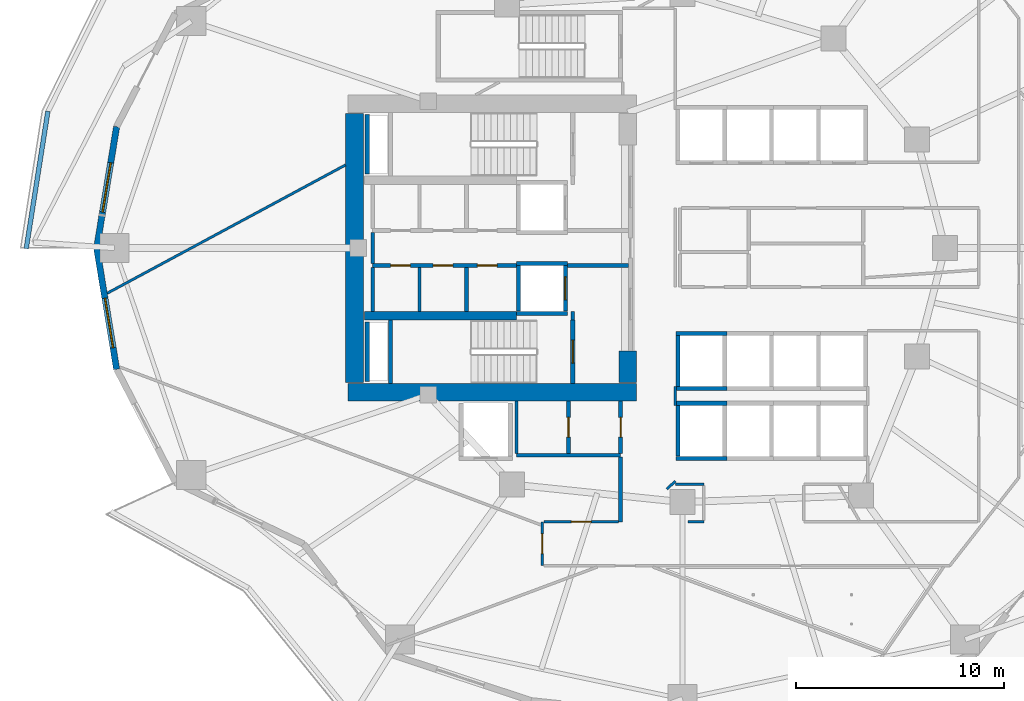
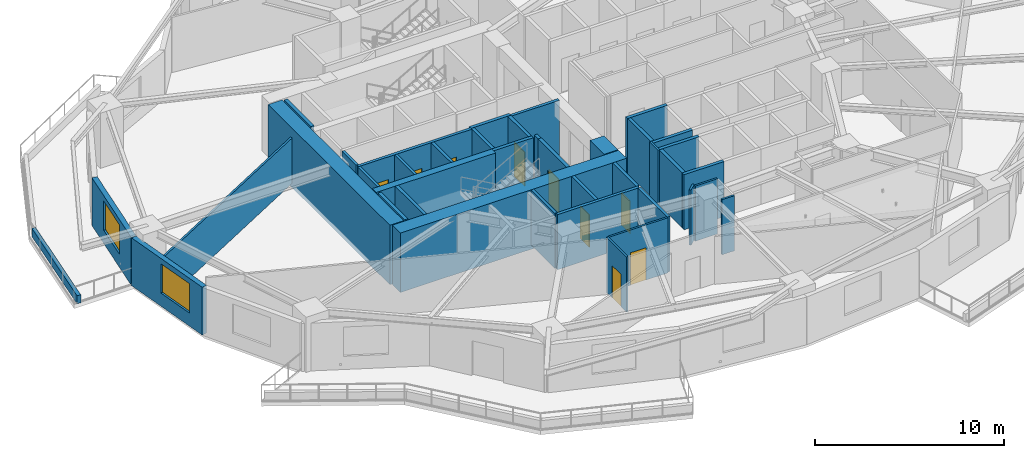
# One storey, part 3 of 16: 40 walls, 9 doors, 2 windows, 11 openings.
"""IFC4 building model written with IfcOpenShell, lengths in metres."""

from ifc_helpers import new_model, si_unit, direction, frame, frame_2d, origin, place, context, subcontext, project, spatial, rectangle, extrude, material, layer, layer_set, type_object, element, fill, save


model = new_model("IFC4")

# Units and contexts
model_context = context("Model", 3, precision=1e-05, world=origin(), true_north=direction((0.0, 1.0)))
body_context = subcontext(model_context, "Body", "Model", "MODEL_VIEW")
ifc_project = project(units=[si_unit("LENGTHUNIT", "METRE"), si_unit("AREAUNIT", "SQUARE_METRE"), si_unit("VOLUMEUNIT", "CUBIC_METRE"), si_unit("PLANEANGLEUNIT", "RADIAN"), si_unit("MASSUNIT", "GRAM", prefix="KILO")], contexts=[model_context])

# Site, building, storey
site_placement = place(None, origin())
site = spatial("IfcSite", under=ifc_project, at=site_placement, CompositionType="ELEMENT")
building_placement = place(site_placement, origin())
building = spatial("IfcBuilding", under=site, at=building_placement, Name="Kolvaren Gate Tower and Convention Centre", CompositionType="ELEMENT")
storey_placement = place(building_placement, frame((0.0, 0.0, 34.199951171875)))
storey = spatial("IfcBuildingStorey", under=building, at=storey_placement, Name="L07", CompositionType="ELEMENT", Elevation=34.199951171875)

# Wall
ifc_material_1 = material(Name="Autoclaved Aerated Masonry Blockwork Class 4 (4.0 MPa)", Category="masonry")
ifc_layer_1 = layer(ifc_material_1, 0.179931640625)
ifc_layer_set_1 = layer_set([ifc_layer_1], Name="Autoclaved Aerated Masonry Blockwork Class 4 (4.0 MPa)")
wall_type_1 = type_object("IfcWallType", Name="ARCH-WL-COMP-180", PredefinedType="SOLIDWALL", material=ifc_layer_set_1)
wall_1_placement = place(storey_placement, frame((24.85009765625, 23.5400390625, 0.0), z_axis=(0.0, 0.0, 1.0), x_axis=(0.0, 1.0, 0.0)))
element("IfcWall", 1, at=wall_1_placement, inside=storey, type_object=wall_type_1, Name="Interior Partition WL-L07-INT-001", PredefinedType="SOLIDWALL", context=body_context, shape_type="SweptSolid", body=[
    extrude(rectangle(XDim=0.419921875, YDim=0.179931640625, at=frame_2d((0.2099609375, 0.0))), origin(), (0.0, 0.0, 1.0), 3.570068359375),
])

# Wall, openings, doors
wall_2_placement = place(storey_placement, frame((15.25, 26.159912109375, 0.0), z_axis=(0.0, 0.0, 1.0), x_axis=(1.0, 0.0, 0.0)))
wall_2 = element("IfcWall", 2, at=wall_2_placement, inside=storey, type_object=wall_type_1, Name="Interior Partition WL-L07-INT-005", PredefinedType="SOLIDWALL", context=body_context, shape_type="SweptSolid", body=[
    extrude(rectangle(XDim=6.89990234375, YDim=0.179931640625, at=frame_2d((3.449951171875, 0.0))), origin(), (0.0, 0.0, 1.0), 3.570068359375),
])
opening_1_placement = place(wall_2_placement, frame((5.02001953125, 0.0, 0.0)))
opening_1 = element("IfcOpeningElement", 3, at=opening_1_placement, cuts=wall_2, Name="Opening DR-01", PredefinedType="OPENING", context=body_context, shape_type="SweptSolid", body=[
    extrude(rectangle(XDim=0.949951171875, YDim=2.10009765625, at=frame_2d((0.47509765625, 1.050048828125))), frame((0.0, 0.099853515625, 0.0), z_axis=(0.0, -1.0, 0.0), x_axis=(1.0, 0.0, 0.0)), (0.0, 0.0, 1.0), 0.199951171875),
])
opening_2_placement = place(wall_2_placement, frame((0.85498046875, 0.0, 0.0)))
opening_2 = element("IfcOpeningElement", 4, at=opening_2_placement, cuts=wall_2, Name="Opening DR-01", PredefinedType="OPENING", context=body_context, shape_type="SweptSolid", body=[
    extrude(rectangle(XDim=0.949951171875, YDim=2.10009765625, at=frame_2d((0.47509765625, 1.050048828125))), frame((0.0, 0.099853515625, 0.0), z_axis=(0.0, -1.0, 0.0), x_axis=(1.0, 0.0, 0.0)), (0.0, 0.0, 1.0), 0.199951171875),
])
opening_3_placement = place(wall_2_placement, frame((2.89990234375, 0.0, 0.0)))
opening_3 = element("IfcOpeningElement", 5, at=opening_3_placement, cuts=wall_2, Name="Opening DR-01", PredefinedType="OPENING", context=body_context, shape_type="SweptSolid", body=[
    extrude(rectangle(XDim=0.949951171875, YDim=2.10009765625, at=frame_2d((0.47509765625, 1.050048828125))), frame((0.0, 0.099853515625, 0.0), z_axis=(0.0, -1.0, 0.0), x_axis=(1.0, 0.0, 0.0)), (0.0, 0.0, 1.0), 0.199951171875),
])
ifc_material_2 = material(Name="Painted Architectural Steelwork ASTM A500 Grade C 345 MPa", Category="steel")
door_type_1 = type_object("IfcDoorType", Name="ARCH-DR-RISER-950", OperationType="SINGLE_SWING_RIGHT", PredefinedType="DOOR", material=ifc_material_2)
door_1_placement = place(opening_1_placement, origin())
door_1 = element("IfcDoor", 6, at=door_1_placement, inside=storey, type_object=door_type_1, Name="Domestic Water Meter Closet Door", OperationType="SINGLE_SWING_RIGHT", OverallHeight=2.10009765625, OverallWidth=0.949951171875, PredefinedType="DOOR", context=body_context, shape_type="SweptSolid", body=[
    extrude(rectangle(XDim=0.949951171875, YDim=2.10009765625, at=frame_2d((0.47509765625, 1.050048828125))), frame((0.0, 0.02490234375, 0.0), z_axis=(0.0, -1.0, 0.0), x_axis=(1.0, 0.0, 0.0)), (0.0, 0.0, 1.0), 0.050048828125),
])
fill(opening_1, door_1)
door_2_placement = place(opening_2_placement, origin())
door_2 = element("IfcDoor", 7, at=door_2_placement, inside=storey, type_object=door_type_1, Name="Beverage Service Pantry Door", OperationType="SINGLE_SWING_LEFT", OverallHeight=2.10009765625, OverallWidth=0.949951171875, PredefinedType="DOOR", context=body_context, shape_type="SweptSolid", body=[
    extrude(rectangle(XDim=0.949951171875, YDim=2.10009765625, at=frame_2d((0.47509765625, 1.050048828125))), frame((0.0, 0.02490234375, 0.0), z_axis=(0.0, -1.0, 0.0), x_axis=(1.0, 0.0, 0.0)), (0.0, 0.0, 1.0), 0.050048828125),
])
fill(opening_2, door_2)
door_3_placement = place(opening_3_placement, origin())
door_3 = element("IfcDoor", 8, at=door_3_placement, inside=storey, type_object=door_type_1, Name="Archive Supply Closet Door", OperationType="SINGLE_SWING_RIGHT", OverallHeight=2.10009765625, OverallWidth=0.949951171875, PredefinedType="DOOR", context=body_context, shape_type="SweptSolid", body=[
    extrude(rectangle(XDim=0.949951171875, YDim=2.10009765625, at=frame_2d((0.47509765625, 1.050048828125))), frame((0.0, 0.02490234375, 0.0), z_axis=(0.0, -1.0, 0.0), x_axis=(1.0, 0.0, 0.0)), (0.0, 0.0, 1.0), 0.050048828125),
])
fill(opening_3, door_3)

# Walls
wall_3_placement = place(storey_placement, frame((24.60009765625, 26.159912109375, 0.0), z_axis=(0.0, 0.0, 1.0), x_axis=(1.0, 0.0, 0.0)))
element("IfcWall", 9, at=wall_3_placement, inside=storey, type_object=wall_type_1, Name="Interior Partition WL-L07-INT-005 (2)", PredefinedType="SOLIDWALL", context=body_context, shape_type="SweptSolid", body=[
    extrude(rectangle(XDim=2.927978515625, YDim=0.179931640625, at=frame_2d((1.4638671875, 0.0))), origin(), (0.0, 0.0, 1.0), 3.570068359375),
])
wall_4_placement = place(storey_placement, frame((19.75, 23.9619140625, 0.0), z_axis=(0.0, 0.0, 1.0), x_axis=(0.0, 1.0, 0.0)))
element("IfcWall", 10, at=wall_4_placement, inside=storey, type_object=wall_type_1, Name="Interior Partition WL-L07-INT-007", PredefinedType="SOLIDWALL", context=body_context, shape_type="SweptSolid", body=[
    extrude(rectangle(XDim=2.106201171875, YDim=0.179931640625, at=frame_2d((1.05322265625, 0.0))), origin(), (0.0, 0.0, 1.0), 3.570068359375),
])
wall_5_placement = place(storey_placement, frame((22.14990234375, 17.050048828125, 0.0), z_axis=(0.0, 0.0, 1.0), x_axis=(1.0, 0.0, 0.0)))
element("IfcWall", 11, at=wall_5_placement, inside=storey, type_object=wall_type_1, Name="Interior Partition WL-L07-INT-011", PredefinedType="SOLIDWALL", context=body_context, shape_type="SweptSolid", body=[
    extrude(rectangle(XDim=5.0, YDim=0.179931640625, at=frame_2d((2.5, 0.0))), origin(), (0.0, 0.0, 1.0), 3.570068359375),
])

# Wall, opening, door
wall_6_placement = place(storey_placement, frame((24.64990234375, 17.14208984375, 0.0), z_axis=(0.0, 0.0, 1.0), x_axis=(0.0, 1.0, 0.0)))
wall_6 = element("IfcWall", 12, at=wall_6_placement, inside=storey, type_object=wall_type_1, Name="Interior Partition WL-L07-INT-013", PredefinedType="SOLIDWALL", context=body_context, shape_type="SweptSolid", body=[
    extrude(rectangle(XDim=2.505859375, YDim=0.179931640625, at=frame_2d((1.2529296875, 0.0))), origin(), (0.0, 0.0, 1.0), 3.570068359375),
])
opening_4_placement = place(wall_6_placement, frame((0.778076171875, 0.0, 0.0)))
opening_4 = element("IfcOpeningElement", 13, at=opening_4_placement, cuts=wall_6, Name="Opening DR-01", PredefinedType="OPENING", context=body_context, shape_type="SweptSolid", body=[
    extrude(rectangle(XDim=0.949951171875, YDim=2.10009765625, at=frame_2d((0.47509765625, 1.050048828125))), frame((0.0, 0.099853515625, 0.0), z_axis=(0.0, -1.0, 0.0), x_axis=(1.0, 0.0, 0.0)), (0.0, 0.0, 1.0), 0.199951171875),
])
door_4_placement = place(opening_4_placement, origin())
door_4 = element("IfcDoor", 14, at=door_4_placement, inside=storey, type_object=door_type_1, Name="West Valet Store Door", OperationType="SINGLE_SWING_RIGHT", OverallHeight=2.10009765625, OverallWidth=0.949951171875, PredefinedType="DOOR", context=body_context, shape_type="SweptSolid", body=[
    extrude(rectangle(XDim=0.949951171875, YDim=2.10009765625, at=frame_2d((0.47509765625, 1.050048828125))), frame((0.0, 0.02490234375, 0.0), z_axis=(0.0, -1.0, 0.0), x_axis=(1.0, 0.0, 0.0)), (0.0, 0.0, 1.0), 0.050048828125),
])
fill(opening_4, door_4)

# Wall
wall_7_placement = place(storey_placement, frame((27.14990234375, 13.85009765625, 0.0), z_axis=(0.0, 0.0, 1.0), x_axis=(0.0, 1.0, 0.0)))
element("IfcWall", 15, at=wall_7_placement, inside=storey, type_object=wall_type_1, Name="Interior Partition WL-L07-INT-014", PredefinedType="SOLIDWALL", context=body_context, shape_type="SweptSolid", body=[
    extrude(rectangle(XDim=3.10791015625, YDim=0.179931640625, at=frame_2d((1.553955078125, 0.0))), origin(), (0.0, 0.0, 1.0), 3.570068359375),
])

# Wall, opening, door
wall_8_placement = place(storey_placement, frame((27.14990234375, 17.14208984375, 0.0), z_axis=(0.0, 0.0, 1.0), x_axis=(0.0, 1.0, 0.0)))
wall_8 = element("IfcWall", 16, at=wall_8_placement, inside=storey, type_object=wall_type_1, Name="Interior Partition WL-L07-INT-014 (2)", PredefinedType="SOLIDWALL", context=body_context, shape_type="SweptSolid", body=[
    extrude(rectangle(XDim=2.505859375, YDim=0.179931640625, at=frame_2d((1.2529296875, 0.0))), origin(), (0.0, 0.0, 1.0), 3.570068359375),
])
opening_5_placement = place(wall_8_placement, frame((0.778076171875, 0.0, 0.0)))
opening_5 = element("IfcOpeningElement", 17, at=opening_5_placement, cuts=wall_8, Name="Opening DR-01", PredefinedType="OPENING", context=body_context, shape_type="SweptSolid", body=[
    extrude(rectangle(XDim=0.949951171875, YDim=2.10009765625, at=frame_2d((0.47509765625, 1.050048828125))), frame((0.0, 0.099853515625, 0.0), z_axis=(0.0, -1.0, 0.0), x_axis=(1.0, 0.0, 0.0)), (0.0, 0.0, 1.0), 0.199951171875),
])
door_5_placement = place(opening_5_placement, origin())
door_5 = element("IfcDoor", 18, at=door_5_placement, inside=storey, type_object=door_type_1, Name="Metering Switch Room Door", OperationType="SINGLE_SWING_LEFT", OverallHeight=2.10009765625, OverallWidth=0.949951171875, PredefinedType="DOOR", context=body_context, shape_type="SweptSolid", body=[
    extrude(rectangle(XDim=0.949951171875, YDim=2.10009765625, at=frame_2d((0.47509765625, 1.050048828125))), frame((0.0, 0.02490234375, 0.0), z_axis=(0.0, -1.0, 0.0), x_axis=(1.0, 0.0, 0.0)), (0.0, 0.0, 1.0), 0.050048828125),
])
fill(opening_5, door_5)

# Wall
ifc_material_3 = material(Name="Fire-Rated Acoustic Gypsum Stud Partition", Category="gypsum")
ifc_layer_2 = layer(ifc_material_3, 0.1201171875)
ifc_layer_set_2 = layer_set([ifc_layer_2], Name="Fire-Rated Acoustic Gypsum Stud Partition")
wall_type_2 = type_object("IfcWallType", Name="ARCH-WL-PART-120", PredefinedType="PARTITIONING", material=ifc_layer_set_2)
wall_9_placement = place(storey_placement, frame((29.780029296875, 19.43994140625, 0.0), z_axis=(0.0, 0.0, 1.0), x_axis=(0.0, 1.0, 0.0)))
element("IfcWall", 19, at=wall_9_placement, inside=storey, type_object=wall_type_2, Name="Interior Partition WL-L07-INT-022", PredefinedType="PARTITIONING", context=body_context, shape_type="SweptSolid", body=[
    extrude(rectangle(XDim=0.920166015625, YDim=0.1201171875, at=frame_2d((0.4599609375, 0.0))), origin(), (0.0, 0.0, 1.0), 3.570068359375),
])

# Wall, opening, door
wall_10_placement = place(storey_placement, frame((23.39990234375, 11.75, 0.0), z_axis=(0.0, 0.0, 1.0), x_axis=(0.0, 1.0, 0.0)))
wall_10 = element("IfcWall", 20, at=wall_10_placement, inside=storey, type_object=wall_type_2, Name="Interior Partition WL-L07-INT-031", PredefinedType="PARTITIONING", context=body_context, shape_type="SweptSolid", body=[
    extrude(rectangle(XDim=2.10009765625, YDim=0.1201171875, at=frame_2d((1.050048828125, 0.0))), origin(), (0.0, 0.0, 1.0), 3.570068359375),
])
opening_6_placement = place(wall_10_placement, frame((0.574951171875, 0.0, 0.0)))
opening_6 = element("IfcOpeningElement", 21, at=opening_6_placement, cuts=wall_10, Name="Opening DR-01", PredefinedType="OPENING", context=body_context, shape_type="SweptSolid", body=[
    extrude(rectangle(XDim=0.949951171875, YDim=2.10009765625, at=frame_2d((0.47509765625, 1.050048828125))), frame((0.0, 0.070068359375, 0.0), z_axis=(0.0, -1.0, 0.0), x_axis=(1.0, 0.0, 0.0)), (0.0, 0.0, 1.0), 0.14013671875),
])
door_6_placement = place(opening_6_placement, origin())
door_6 = element("IfcDoor", 22, at=door_6_placement, inside=storey, type_object=door_type_1, Name="Conference and Training Seminar Room Door", OperationType="SINGLE_SWING_LEFT", OverallHeight=2.10009765625, OverallWidth=0.949951171875, PredefinedType="DOOR", context=body_context, shape_type="SweptSolid", body=[
    extrude(rectangle(XDim=0.949951171875, YDim=2.10009765625, at=frame_2d((0.47509765625, 1.050048828125))), frame((0.0, 0.02490234375, 0.0), z_axis=(0.0, -1.0, 0.0), x_axis=(1.0, 0.0, 0.0)), (0.0, 0.0, 1.0), 0.050048828125),
])
fill(opening_6, door_6)

wall_11_placement = place(storey_placement, frame((23.4619140625, 13.85009765625, 0.0), z_axis=(0.0, 0.0, 1.0), x_axis=(1.0, 0.0, 0.0)))
wall_11 = element("IfcWall", 23, at=wall_11_placement, inside=storey, type_object=wall_type_2, Name="Interior Partition WL-L07-INT-038", PredefinedType="PARTITIONING", context=body_context, shape_type="SweptSolid", body=[
    extrude(rectangle(XDim=3.59619140625, YDim=0.1201171875, at=frame_2d((1.798095703125, 0.0))), origin(), (0.0, 0.0, 1.0), 3.570068359375),
])
opening_7_placement = place(wall_11_placement, frame((1.322998046875, 0.0, 0.0)))
opening_7 = element("IfcOpeningElement", 24, at=opening_7_placement, cuts=wall_11, Name="Opening DR-01", PredefinedType="OPENING", context=body_context, shape_type="SweptSolid", body=[
    extrude(rectangle(XDim=0.949951171875, YDim=2.10009765625, at=frame_2d((0.47509765625, 1.050048828125))), frame((0.0, 0.070068359375, 0.0), z_axis=(0.0, -1.0, 0.0), x_axis=(1.0, 0.0, 0.0)), (0.0, 0.0, 1.0), 0.14013671875),
])
door_7_placement = place(opening_7_placement, origin())
door_7 = element("IfcDoor", 25, at=door_7_placement, inside=storey, type_object=door_type_1, Name="Conference and Training Seminar Room Door", OperationType="SINGLE_SWING_RIGHT", OverallHeight=2.10009765625, OverallWidth=0.949951171875, PredefinedType="DOOR", context=body_context, shape_type="SweptSolid", body=[
    extrude(rectangle(XDim=0.949951171875, YDim=2.10009765625, at=frame_2d((0.47509765625, 1.050048828125))), frame((0.0, 0.02490234375, 0.0), z_axis=(0.0, -1.0, 0.0), x_axis=(1.0, 0.0, 0.0)), (0.0, 0.0, 1.0), 0.050048828125),
])
fill(opening_7, door_7)

# Walls
wall_12_placement = place(storey_placement, frame((30.39111328125, 13.85009765625, 0.0), z_axis=(0.0, 0.0, 1.0), x_axis=(1.0, 0.0, 0.0)))
element("IfcWall", 26, at=wall_12_placement, inside=storey, type_object=wall_type_2, Name="Interior Partition WL-L07-INT-039", PredefinedType="PARTITIONING", context=body_context, shape_type="SweptSolid", body=[
    extrude(rectangle(XDim=0.7587890625, YDim=0.1201171875, at=frame_2d((0.37939453125, 0.0))), origin(), (0.0, 0.0, 1.0), 3.570068359375),
])
wall_13_placement = place(storey_placement, frame((29.780029296875, 15.64990234375, 0.0), z_axis=(0.0, 0.0, 1.0), x_axis=(1.0, 0.0, 0.0)))
element("IfcWall", 27, at=wall_13_placement, inside=storey, type_object=wall_type_2, Name="Interior Partition WL-L07-INT-043", PredefinedType="PARTITIONING", context=body_context, shape_type="SweptSolid", body=[
    extrude(rectangle(XDim=1.369873046875, YDim=0.1201171875, at=frame_2d((0.68505859375, 0.0))), origin(), (0.0, 0.0, 1.0), 3.570068359375),
])
wall_14_placement = place(storey_placement, frame((29.366943359375, 15.422119140625, 0.0), z_axis=(0.0, 0.0, 1.0), x_axis=(0.730667420492, 0.682733564893, 0.0)))
element("IfcWall", 28, at=wall_14_placement, inside=storey, type_object=wall_type_2, Name="Interior Partition WL-L07-INT-048", PredefinedType="PARTITIONING", context=body_context, shape_type="SweptSolid", body=[
    extrude(rectangle(XDim=0.5654296875, YDim=0.1201171875, at=frame_2d((0.28271484375, 0.0))), origin(), (0.0, 0.0, 1.0), 3.570068359375),
])
wall_15_placement = place(storey_placement, frame((2.51123046875, 24.8291015625, 0.0), z_axis=(0.0, 0.0, 1.0), x_axis=(0.880496447335, 0.474052746253, 0.0)))
element("IfcWall", 29, at=wall_15_placement, inside=storey, type_object=wall_type_2, Name="Interior Partition WL-L07-INT-050", PredefinedType="PARTITIONING", context=body_context, shape_type="SweptSolid", body=[
    extrude(rectangle(XDim=12.989013671875, YDim=0.1201171875, at=frame_2d((6.49462890625, 0.0))), origin(), (0.0, 0.0, 1.0), 2.93408203125),
])
ifc_material_4 = material(Name="Piedmont Cream Honed Limestone Cladding", Category="masonry")
ifc_layer_3 = layer(ifc_material_4, 0.219970703125)
ifc_layer_set_3 = layer_set([ifc_layer_3], Name="Piedmont Cream Honed Limestone Cladding")
wall_type_3 = type_object("IfcWallType", Name="ARCH-WL-PLANTER-220", PredefinedType="PARAPET", material=ifc_layer_set_3)
wall_16_placement = place(storey_placement, frame((-1.381591796875, 26.970703125, 0.0), z_axis=(0.0, 0.0, 1.0), x_axis=(0.155842315528, 0.987781945923, 0.0)))
element("IfcWall", 30, at=wall_16_placement, inside=storey, type_object=wall_type_3, Name="Vertical-Forest Balcony Stone Planter Kerb PK-L07-2.3", PredefinedType="PARAPET", context=body_context, shape_type="SweptSolid", body=[
    extrude(rectangle(XDim=6.672119140625, YDim=0.219970703125, at=frame_2d((3.3359375, 0.0))), origin(), (0.0, 0.0, 1.0), 0.52001953125),
])
ifc_layer_4 = layer(ifc_material_1, 0.199951171875)
ifc_layer_set_4 = layer_set([ifc_layer_4], Name="Autoclaved Aerated Masonry Blockwork Class 4 (4.0 MPa)")
wall_type_4 = type_object("IfcWallType", Name="ARCH-WL-SHAFT-200", PredefinedType="SOLIDWALL", material=ifc_layer_set_4)
for number, where, z_axis, x_axis, name in (
    (31, (22.14990234375, 26.260009765625, 0.0), (0.0, 0.0, 1.0), (1.0, 0.0, 0.0), "Elevator FF-02 L07 Fire Shaft Wall N"),
    (32, (22.14990234375, 23.860107421875, 0.0), (0.0, 0.0, 1.0), (1.0, 0.0, 0.0), "Elevator FF-02 L07 Fire Shaft Wall S"),
):
    element("IfcWall", number, at=place(storey_placement, frame(where, z_axis=z_axis, x_axis=x_axis)), inside=storey, type_object=wall_type_4, Name=name, PredefinedType="SOLIDWALL", context=body_context, shape_type="SweptSolid", body=[
        extrude(rectangle(XDim=2.4501953125, YDim=0.199951171875, at=frame_2d((1.22509765625, 0.0))), origin(), (0.0, 0.0, 1.0), 3.570068359375),
    ])
wall_17_placement = place(storey_placement, frame((22.25, 23.969970703125, 0.0), z_axis=(0.0, 0.0, 1.0), x_axis=(0.0, 1.0, 0.0)))
element("IfcWall", 33, at=wall_17_placement, inside=storey, type_object=wall_type_4, Name="Elevator FF-02 L07 Fire Shaft Wall W", PredefinedType="SOLIDWALL", context=body_context, shape_type="SweptSolid", body=[
    extrude(rectangle(XDim=2.179931640625, YDim=0.199951171875, at=frame_2d((1.08984375, 0.0))), origin(), (0.0, 0.0, 1.0), 3.570068359375),
])

# Wall, opening, door
wall_18_placement = place(storey_placement, frame((24.5, 23.969970703125, 0.0), z_axis=(0.0, 0.0, 1.0), x_axis=(0.0, 1.0, 0.0)))
wall_18 = element("IfcWall", 34, at=wall_18_placement, inside=storey, type_object=wall_type_4, Name="Elevator FF-02 L07 Fire Shaft Wall E", PredefinedType="SOLIDWALL", context=body_context, shape_type="SweptSolid", body=[
    extrude(rectangle(XDim=2.179931640625, YDim=0.199951171875, at=frame_2d((1.08984375, 0.0))), origin(), (0.0, 0.0, 1.0), 3.570068359375),
])
opening_8_placement = place(wall_18_placement, frame((0.5400390625, 0.0, 0.0)))
opening_8 = element("IfcOpeningElement", 35, at=opening_8_placement, cuts=wall_18, Name="Opening LD", PredefinedType="OPENING", context=body_context, shape_type="SweptSolid", body=[
    extrude(rectangle(XDim=1.10009765625, YDim=2.199951171875, at=frame_2d((0.550048828125, 1.10009765625))), frame((0.0, 0.10986328125, 0.0), z_axis=(0.0, -1.0, 0.0), x_axis=(1.0, 0.0, 0.0)), (0.0, 0.0, 1.0), 0.219970703125),
])
ifc_material_5 = material(Name="Brushed Stainless Steel Grade 316L", Category="steel")
door_type_2 = type_object("IfcDoorType", Name="ARCH-DR-LIFT-1100", OperationType="SLIDING_TO_LEFT", PredefinedType="DOOR", material=ifc_material_5)
door_8_placement = place(opening_8_placement, origin())
door_8 = element("IfcDoor", 36, at=door_8_placement, inside=storey, type_object=door_type_2, Name="Elevator FF-02 L07 Sliding Landing Door", OperationType="SLIDING_TO_LEFT", OverallHeight=2.199951171875, OverallWidth=1.10009765625, PredefinedType="DOOR", context=body_context, shape_type="SweptSolid", body=[
    extrude(rectangle(XDim=1.10009765625, YDim=2.199951171875, at=frame_2d((0.550048828125, 1.10009765625))), frame((0.0, 0.02490234375, 0.0), z_axis=(0.0, -1.0, 0.0), x_axis=(1.0, 0.0, 0.0)), (0.0, 0.0, 1.0), 0.050048828125),
])
fill(opening_8, door_8)

# Walls
for number, where, z_axis, x_axis, name in (
    (37, (29.800048828125, 19.550048828125, 0.0), (0.0, 0.0, 1.0), (1.0, 0.0, 0.0), "Elevator PL-05 L07 Fire Shaft Wall N"),
    (38, (29.800048828125, 16.89990234375, 0.0), (0.0, 0.0, 1.0), (1.0, 0.0, 0.0), "Elevator PL-05 L07 Fire Shaft Wall S"),
):
    element("IfcWall", number, at=place(storey_placement, frame(where, z_axis=z_axis, x_axis=x_axis)), inside=storey, type_object=wall_type_4, Name=name, PredefinedType="SOLIDWALL", context=body_context, shape_type="SweptSolid", body=[
        extrude(rectangle(XDim=2.449951171875, YDim=0.199951171875, at=frame_2d((1.22509765625, 0.0))), origin(), (0.0, 0.0, 1.0), 3.570068359375),
    ])
wall_19_placement = place(storey_placement, frame((29.89990234375, 17.010009765625, 0.0), z_axis=(0.0, 0.0, 1.0), x_axis=(0.0, 1.0, 0.0)))
element("IfcWall", 39, at=wall_19_placement, inside=storey, type_object=wall_type_4, Name="Elevator PL-05 L07 Fire Shaft Wall W", PredefinedType="SOLIDWALL", context=body_context, shape_type="SweptSolid", body=[
    extrude(rectangle(XDim=2.429931640625, YDim=0.199951171875, at=frame_2d((1.21484375, 0.0))), origin(), (0.0, 0.0, 1.0), 3.570068359375),
])
for number, where, z_axis, x_axis, name in (
    (40, (29.800048828125, 22.89990234375, 0.0), (0.0, 0.0, 1.0), (1.0, 0.0, 0.0), "Elevator PL-09 L07 Fire Shaft Wall N"),
    (41, (29.800048828125, 20.25, 0.0), (0.0, 0.0, 1.0), (1.0, 0.0, 0.0), "Elevator PL-09 L07 Fire Shaft Wall S"),
):
    element("IfcWall", number, at=place(storey_placement, frame(where, z_axis=z_axis, x_axis=x_axis)), inside=storey, type_object=wall_type_4, Name=name, PredefinedType="SOLIDWALL", context=body_context, shape_type="SweptSolid", body=[
        extrude(rectangle(XDim=2.449951171875, YDim=0.199951171875, at=frame_2d((1.22509765625, 0.0))), origin(), (0.0, 0.0, 1.0), 3.570068359375),
    ])
wall_20_placement = place(storey_placement, frame((29.89990234375, 20.360107421875, 0.0), z_axis=(0.0, 0.0, 1.0), x_axis=(0.0, 1.0, 0.0)))
element("IfcWall", 42, at=wall_20_placement, inside=storey, type_object=wall_type_4, Name="Elevator PL-09 L07 Fire Shaft Wall W", PredefinedType="SOLIDWALL", context=body_context, shape_type="SweptSolid", body=[
    extrude(rectangle(XDim=2.429931640625, YDim=0.199951171875, at=frame_2d((1.21484375, 0.0))), origin(), (0.0, 0.0, 1.0), 3.570068359375),
])
for number, where, z_axis, x_axis, name in (
    (43, (14.989990234375, 30.550048828125, 0.0), (0.0, 0.0, 1.0), (0.0, 1.0, 0.0), "Vertical Shaft HVR L07 EI-120 Enclosure Wall W"),
    (44, (14.989990234375, 20.60009765625, 0.0), (0.0, 0.0, 1.0), (0.0, 1.0, 0.0), "Vertical Shaft MPR L07 EI-120 Enclosure Wall W"),
):
    element("IfcWall", number, at=place(storey_placement, frame(where, z_axis=z_axis, x_axis=x_axis)), inside=storey, type_object=wall_type_4, Name=name, PredefinedType="SOLIDWALL", context=body_context, shape_type="SweptSolid", body=[
        extrude(rectangle(XDim=2.849853515625, YDim=0.199951171875, at=frame_2d((1.4248046875, 0.0))), origin(), (0.0, 0.0, 1.0), 3.570068359375),
    ])

# Wall, opening, window
ifc_layer_5 = layer(ifc_material_4, 0.300048828125)
ifc_layer_set_5 = layer_set([ifc_layer_5], Name="Piedmont Cream Honed Limestone Cladding")
wall_type_5 = type_object("IfcWallType", Name="ARCH-WL-STONE-300", PredefinedType="SOLIDWALL", material=ifc_layer_set_5)
wall_21_placement = place(storey_placement, frame((2.0, 27.0, 0.0), z_axis=(0.0, 0.0, 1.0), x_axis=(0.162366057843, 0.98673059305, 0.0)))
wall_21 = element("IfcWall", 45, at=wall_21_placement, inside=storey, type_object=wall_type_5, Name="Tower L07 Honed Stone Spandrel Wall EW-11", PredefinedType="SOLIDWALL", context=body_context, shape_type="SweptSolid", body=[
    extrude(rectangle(XDim=5.90185546875, YDim=0.300048828125, at=frame_2d((2.950927734375, 0.0))), origin(), (0.0, 0.0, 1.0), 3.093017578125),
])
opening_9_placement = place(wall_21_placement, frame((1.7509765625, 0.0, 0.85009765625)))
opening_9 = element("IfcOpeningElement", 46, at=opening_9_placement, cuts=wall_21, Name="Opening W-01", PredefinedType="OPENING", context=body_context, shape_type="SweptSolid", body=[
    extrude(rectangle(XDim=2.39990234375, YDim=1.89990234375, at=frame_2d((1.199951171875, 0.949951171875))), frame((0.0, 0.159912109375, 0.0), z_axis=(0.0, -1.0, 0.0), x_axis=(1.0, 0.0, 0.0)), (0.0, 0.0, 1.0), 0.320068359375),
])
ifc_material_6 = material(Name="Low-E Triple Insulated Glazing Unit 44 mm", Category="glass")
window_type = type_object("IfcWindowType", Name="ARCH-WN-OFF-2400", PartitioningType="SINGLE_PANEL", PredefinedType="WINDOW", material=ifc_material_6)
window_1_placement = place(opening_9_placement, origin())
window_1 = element("IfcWindow", 47, at=window_1_placement, inside=storey, type_object=window_type, Name="Tower L07 Punched Stone Facade Window W-11", OverallHeight=1.89990234375, OverallWidth=2.39990234375, PartitioningType="SINGLE_PANEL", PredefinedType="WINDOW", context=body_context, shape_type="SweptSolid", body=[
    extrude(rectangle(XDim=2.39990234375, YDim=1.89990234375, at=frame_2d((1.199951171875, 0.949951171875))), frame((0.0, 0.030029296875, 0.0), z_axis=(0.0, -1.0, 0.0), x_axis=(1.0, 0.0, 0.0)), (0.0, 0.0, 1.0), 0.06005859375),
])
fill(opening_9, window_1)

wall_22_placement = place(storey_placement, frame((2.0, 27.0, 0.0), z_axis=(0.0, 0.0, 1.0), x_axis=(0.162366057843, -0.98673059305, 0.0)))
wall_22 = element("IfcWall", 48, at=wall_22_placement, inside=storey, type_object=wall_type_5, Name="Tower L07 Honed Stone Spandrel Wall EW-12", PredefinedType="SOLIDWALL", context=body_context, shape_type="SweptSolid", body=[
    extrude(rectangle(XDim=5.90185546875, YDim=0.300048828125, at=frame_2d((2.950927734375, 0.0))), origin(), (0.0, 0.0, 1.0), 3.093017578125),
])
opening_10_placement = place(wall_22_placement, frame((2.449951171875, 0.0, 0.85009765625)))
opening_10 = element("IfcOpeningElement", 49, at=opening_10_placement, cuts=wall_22, Name="Opening W-01", PredefinedType="OPENING", context=body_context, shape_type="SweptSolid", body=[
    extrude(rectangle(XDim=2.39990234375, YDim=1.89990234375, at=frame_2d((1.199951171875, 0.949951171875))), frame((0.0, 0.159912109375, 0.0), z_axis=(0.0, -1.0, 0.0), x_axis=(1.0, 0.0, 0.0)), (0.0, 0.0, 1.0), 0.320068359375),
])
window_2_placement = place(opening_10_placement, origin())
window_2 = element("IfcWindow", 50, at=window_2_placement, inside=storey, type_object=window_type, Name="Tower L07 Punched Stone Facade Window W-12", OverallHeight=1.89990234375, OverallWidth=2.39990234375, PartitioningType="SINGLE_PANEL", PredefinedType="WINDOW", context=body_context, shape_type="SweptSolid", body=[
    extrude(rectangle(XDim=2.39990234375, YDim=1.89990234375, at=frame_2d((1.199951171875, 0.949951171875))), frame((0.0, 0.030029296875, 0.0), z_axis=(0.0, -1.0, 0.0), x_axis=(1.0, 0.0, 0.0)), (0.0, 0.0, 1.0), 0.06005859375),
])
fill(opening_10, window_2)

# Walls
ifc_material_7 = material(Name="Moisture-Resistant Cement-Board Acoustic Partition", Category="gypsum")
ifc_layer_6 = layer(ifc_material_7, 0.14990234375)
ifc_layer_set_6 = layer_set([ifc_layer_6], Name="Moisture-Resistant Cement-Board Acoustic Partition")
wall_type_6 = type_object("IfcWallType", Name="ARCH-WL-WET-150", PredefinedType="PARTITIONING", material=ifc_layer_set_6)
wall_23_placement = place(storey_placement, frame((15.25, 23.9619140625, 0.0), z_axis=(0.0, 0.0, 1.0), x_axis=(0.0, 1.0, 0.0)))
element("IfcWall", 51, at=wall_23_placement, inside=storey, type_object=wall_type_6, Name="Interior Partition WL-L07-INT-006", PredefinedType="PARTITIONING", context=body_context, shape_type="SweptSolid", body=[
    extrude(rectangle(XDim=2.106201171875, YDim=0.14990234375, at=frame_2d((1.05322265625, 0.0))), origin(), (0.0, 0.0, 1.0), 3.570068359375),
])
wall_24_placement = place(storey_placement, frame((15.25, 26.251953125, 0.0), z_axis=(0.0, 0.0, 1.0), x_axis=(0.0, 1.0, 0.0)))
element("IfcWall", 52, at=wall_24_placement, inside=storey, type_object=wall_type_6, Name="Interior Partition WL-L07-INT-006 (2)", PredefinedType="PARTITIONING", context=body_context, shape_type="SweptSolid", body=[
    extrude(rectangle(XDim=1.49609375, YDim=0.14990234375, at=frame_2d((0.748046875, 0.0))), origin(), (0.0, 0.0, 1.0), 3.570068359375),
])
wall_25_placement = place(storey_placement, frame((17.5, 23.9619140625, 0.0), z_axis=(0.0, 0.0, 1.0), x_axis=(0.0, 1.0, 0.0)))
element("IfcWall", 53, at=wall_25_placement, inside=storey, type_object=wall_type_6, Name="Interior Partition WL-L07-INT-009", PredefinedType="PARTITIONING", context=body_context, shape_type="SweptSolid", body=[
    extrude(rectangle(XDim=2.106201171875, YDim=0.14990234375, at=frame_2d((1.05322265625, 0.0))), origin(), (0.0, 0.0, 1.0), 3.570068359375),
])
wall_26_placement = place(storey_placement, frame((22.14990234375, 17.14208984375, 0.0), z_axis=(0.0, 0.0, 1.0), x_axis=(0.0, 1.0, 0.0)))
element("IfcWall", 54, at=wall_26_placement, inside=storey, type_object=wall_type_6, Name="Interior Partition WL-L07-INT-012", PredefinedType="PARTITIONING", context=body_context, shape_type="SweptSolid", body=[
    extrude(rectangle(XDim=2.505859375, YDim=0.14990234375, at=frame_2d((1.2529296875, 0.0))), origin(), (0.0, 0.0, 1.0), 3.570068359375),
])
ifc_material_8 = material(Name="Concrete C50/60", Category="concrete")
ifc_layer_7 = layer(ifc_material_8, 0.419921875)
ifc_layer_set_7 = layer_set([ifc_layer_7], Name="Concrete C50/60")
wall_type_7 = type_object("IfcWallType", Name="STR-WL-CONV-420", PredefinedType="SHEAR", material=ifc_layer_set_7)
wall_27_placement = place(storey_placement, frame((14.85009765625, 23.75, -0.280029296875), z_axis=(0.0, 0.0, 1.0), x_axis=(1.0, 0.0, 0.0)))
element("IfcWall", 55, at=wall_27_placement, inside=storey, type_object=wall_type_7, Name="Tower L07 Offset Core Shear Wall WS", PredefinedType="SHEAR", context=body_context, shape_type="SweptSolid", body=[
    extrude(rectangle(XDim=7.2998046875, YDim=0.419921875, at=frame_2d((3.64990234375, 0.0))), origin(), (0.0, 0.0, 1.0), 3.85009765625),
])
ifc_material_9 = material(Name="Concrete C70/85", Category="concrete")
ifc_layer_8 = layer(ifc_material_9, 0.85009765625)
ifc_layer_set_8 = layer_set([ifc_layer_8], Name="Concrete C70/85")
wall_type_8 = type_object("IfcWallType", Name="STR-WL-CORE-850", PredefinedType="SHEAR", material=ifc_layer_set_8)
wall_28_placement = place(storey_placement, frame((14.074951171875, 20.074951171875, -0.280029296875), z_axis=(0.0, 0.0, 1.0), x_axis=(1.0, 0.0, 0.0)))
element("IfcWall", 56, at=wall_28_placement, inside=storey, type_object=wall_type_8, Name="Tower L07 Offset Core Shear Wall S", PredefinedType="SHEAR", context=body_context, shape_type="SweptSolid", body=[
    extrude(rectangle(XDim=13.85009765625, YDim=0.85009765625, at=frame_2d((6.925048828125, 0.0))), origin(), (0.0, 0.0, 1.0), 3.85009765625),
])
wall_29_placement = place(storey_placement, frame((14.375, 20.550048828125, -0.280029296875), z_axis=(0.0, 0.0, 1.0), x_axis=(0.0, 1.0, 0.0)))
element("IfcWall", 57, at=wall_29_placement, inside=storey, type_object=wall_type_8, Name="Tower L07 Offset Core Shear Wall W", PredefinedType="SHEAR", context=body_context, shape_type="SweptSolid", body=[
    extrude(rectangle(XDim=12.89990234375, YDim=0.85009765625, at=frame_2d((6.449951171875, 0.0))), origin(), (0.0, 0.0, 1.0), 3.85009765625),
])
wall_30_placement = place(storey_placement, frame((27.5, 20.550048828125, -0.280029296875), z_axis=(0.0, 0.0, 1.0), x_axis=(0.0, 1.0, 0.0)))
element("IfcWall", 58, at=wall_30_placement, inside=storey, type_object=wall_type_8, Name="Tower L07 Offset Core Shear Wall ES", PredefinedType="SHEAR", context=body_context, shape_type="SweptSolid", body=[
    extrude(rectangle(XDim=1.5, YDim=0.85009765625, at=frame_2d((0.75, 0.0))), origin(), (0.0, 0.0, 1.0), 3.85009765625),
])

# Wall, opening, door
ifc_layer_9 = layer(ifc_material_8, 0.199951171875)
ifc_layer_set_9 = layer_set([ifc_layer_9], Name="Concrete C50/60")
wall_type_9 = type_object("IfcWallType", Name="STR-WL-SHAFT-200", PredefinedType="SHEAR", material=ifc_layer_set_9)
wall_31_placement = place(storey_placement, frame((24.85009765625, 20.501953125, -0.280029296875), z_axis=(0.0, 0.0, 1.0), x_axis=(0.0, 1.0, 0.0)))
wall_31 = element("IfcWall", 59, at=wall_31_placement, inside=storey, type_object=wall_type_9, Name="Tower South Exit Stair ST-T2 L07 Structural Shear Enclosure Wall NEAR", PredefinedType="SHEAR", context=body_context, shape_type="SweptSolid", body=[
    extrude(rectangle(XDim=3.0380859375, YDim=0.199951171875, at=frame_2d((1.51904296875, 0.0))), origin(), (0.0, 0.0, 1.0), 3.85009765625),
])
opening_11_placement = place(wall_31_placement, frame((0.968994140625, 0.0, 0.280029296875)))
opening_11 = element("IfcOpeningElement", 60, at=opening_11_placement, cuts=wall_31, Name="Opening DS-01", PredefinedType="OPENING", context=body_context, shape_type="SweptSolid", body=[
    extrude(rectangle(XDim=1.10009765625, YDim=2.14990234375, at=frame_2d((0.550048828125, 1.074951171875))), frame((0.0, 0.10986328125, 0.0), z_axis=(0.0, -1.0, 0.0), x_axis=(1.0, 0.0, 0.0)), (0.0, 0.0, 1.0), 0.219970703125),
])
door_type_3 = type_object("IfcDoorType", Name="ARCH-DR-STAIR-1100", OperationType="SINGLE_SWING_LEFT", PredefinedType="DOOR", material=ifc_material_2)
door_9_placement = place(opening_11_placement, origin())
door_9 = element("IfcDoor", 61, at=door_9_placement, inside=storey, type_object=door_type_3, Name="Tower South Exit Stair ST-T2 L07 Fire Exit Stair Door", OperationType="SINGLE_SWING_LEFT", OverallHeight=2.14990234375, OverallWidth=1.10009765625, PredefinedType="DOOR", context=body_context, shape_type="SweptSolid", body=[
    extrude(rectangle(XDim=1.10009765625, YDim=2.14990234375, at=frame_2d((0.550048828125, 1.074951171875))), frame((0.0, 0.02490234375, 0.0), z_axis=(0.0, -1.0, 0.0), x_axis=(1.0, 0.0, 0.0)), (0.0, 0.0, 1.0), 0.050048828125),
])
fill(opening_11, door_9)

# Wall
wall_32_placement = place(storey_placement, frame((16.10009765625, 20.501953125, -0.280029296875), z_axis=(0.0, 0.0, 1.0), x_axis=(0.0, 1.0, 0.0)))
element("IfcWall", 62, at=wall_32_placement, inside=storey, type_object=wall_type_9, Name="Tower South Exit Stair ST-T2 L07 Structural Shear Enclosure Wall FAR", PredefinedType="SHEAR", context=body_context, shape_type="SweptSolid", body=[
    extrude(rectangle(XDim=3.0361328125, YDim=0.199951171875, at=frame_2d((1.51806640625, 0.0))), origin(), (0.0, 0.0, 1.0), 3.85009765625),
])

save(model, "model.ifc")
